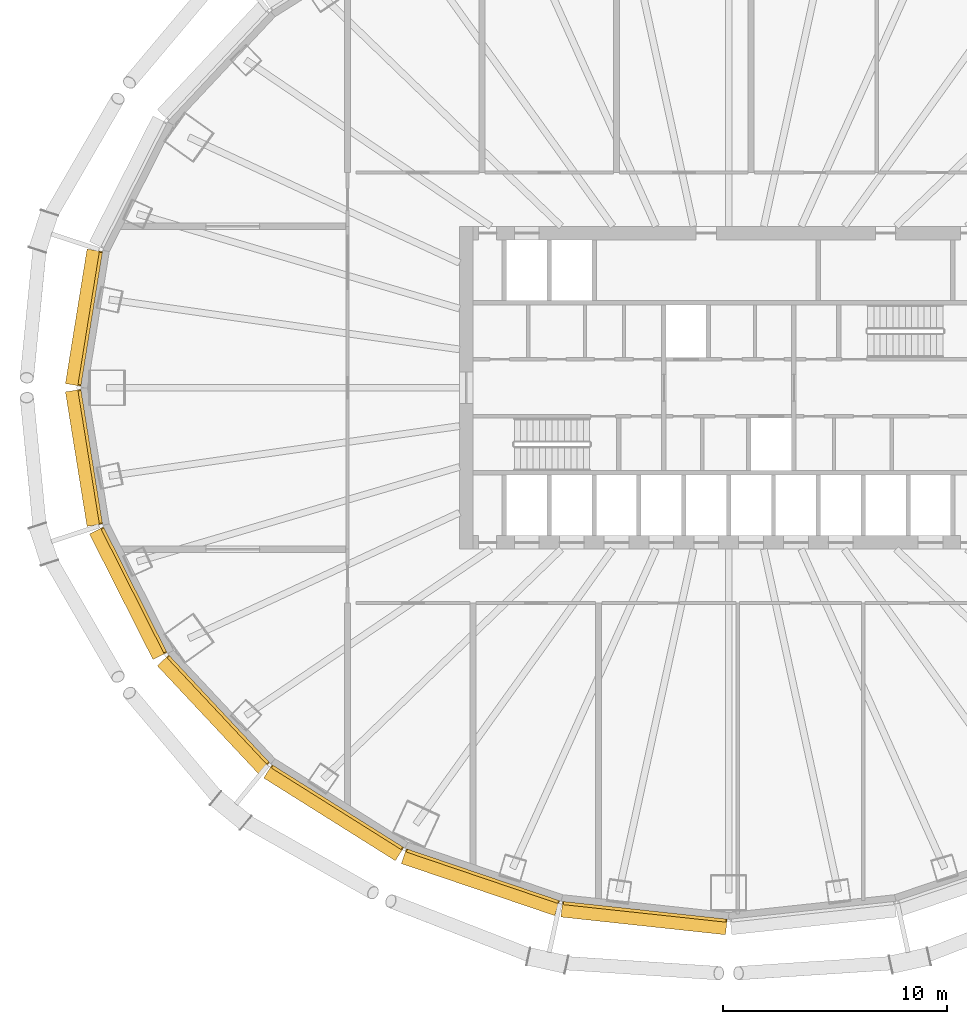
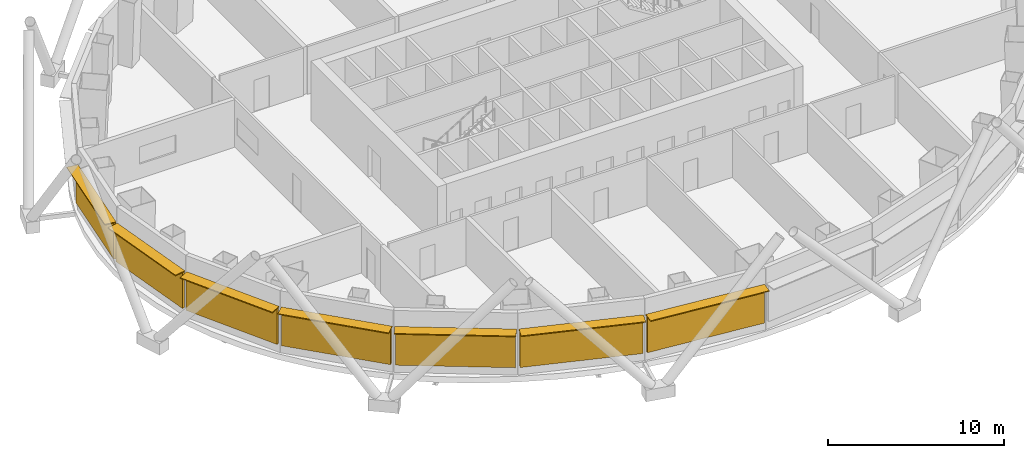
# One storey, part 11 of 14: 14 shading devices.
"""IFC4 building model written with IfcOpenShell, lengths in metres."""

from ifc_helpers import new_model, si_unit, direction, frame, origin, origin_2d, place, context, subcontext, project, spatial, rectangle, extrude, material, layer, layer_set, type_object, element, save


model = new_model("IFC4")

# Units and contexts
model_context = context("Model", 3, precision=1e-05, world=origin(), true_north=direction((0.0, 1.0)))
body_context = subcontext(model_context, "Body", "Model", "MODEL_VIEW")
ifc_project = project(units=[si_unit("LENGTHUNIT", "METRE"), si_unit("AREAUNIT", "SQUARE_METRE"), si_unit("VOLUMEUNIT", "CUBIC_METRE"), si_unit("PLANEANGLEUNIT", "RADIAN"), si_unit("MASSUNIT", "GRAM", prefix="KILO")], contexts=[model_context])

# Site, building, storey
site_placement = place(None, origin())
site = spatial("IfcSite", under=ifc_project, at=site_placement, CompositionType="ELEMENT")
building_placement = place(site_placement, origin())
building = spatial("IfcBuilding", under=site, at=building_placement, Name="Siaravel Broadcast Tower", CompositionType="ELEMENT")
storey_placement = place(building_placement, frame((0.0, 0.0, 20.0)))
storey = spatial("IfcBuildingStorey", under=building, at=storey_placement, Name="L03", CompositionType="ELEMENT", Elevation=20.0)

# Shading devices
ifc_material_1 = material(Name="Bronze anodised aluminium", Category="aluminium")
ifc_layer_1 = layer(ifc_material_1, 0.06005859375)
ifc_layer_set_1 = layer_set([ifc_layer_1], Name="Bronze anodised aluminium")
shading_device_type_1 = type_object("IfcShadingDeviceType", Name="Brise-soleil band", PredefinedType="USERDEFINED", material=ifc_layer_set_1)
for number, where, z_axis, x_axis, name in (
    (1, (-28.7509765625, 3.12890625, 3.1298828125), (0.0, 0.0, 1.0), (-0.158685394, -0.987329198, 0.0), "L03 brise-soleil band 12"),
    (2, (-28.7509765625, -3.12890625, 3.1298828125), (0.0, 0.0, 1.0), (0.158685394, -0.987329198, 0.0), "L03 brise-soleil band 13"),
):
    element("IfcShadingDevice", number, at=place(storey_placement, frame(where, z_axis=z_axis, x_axis=x_axis)), inside=storey, type_object=shading_device_type_1, Name=name, ObjectType="SUNSHADE", PredefinedType="USERDEFINED", context=body_context, shape_type="SweptSolid", body=[
        extrude(rectangle(XDim=6.078125, YDim=0.699951171875, at=origin_2d()), origin(), (0.0, 0.0, 1.0), 0.06005859375),
    ])
shading_device_1_placement = place(storey_placement, frame((-26.776611328125, -9.166015625, 3.1298828125), z_axis=(0.0, 0.0, 1.0), x_axis=(0.451262289, -0.892391364, 0.0)))
element("IfcShadingDevice", 3, at=shading_device_1_placement, inside=storey, type_object=shading_device_type_1, Name="L03 brise-soleil band 14", ObjectType="SUNSHADE", PredefinedType="USERDEFINED", context=body_context, shape_type="SweptSolid", body=[
    extrude(rectangle(XDim=6.268310546875, YDim=0.699951171875, at=origin_2d()), origin(), (0.0, 0.0, 1.0), 0.06005859375),
])
shading_device_2_placement = place(storey_placement, frame((-22.973876953125, -14.5625, 3.1298828125), z_axis=(0.0, 0.0, 1.0), x_axis=(0.683655992, -0.729804415, 0.0)))
element("IfcShadingDevice", 4, at=shading_device_2_placement, inside=storey, type_object=shading_device_type_1, Name="L03 brise-soleil band 15", ObjectType="SUNSHADE", PredefinedType="USERDEFINED", context=body_context, shape_type="SweptSolid", body=[
    extrude(rectangle(XDim=6.584716796875, YDim=0.699951171875, at=origin_2d()), origin(), (0.0, 0.0, 1.0), 0.06005859375),
])
shading_device_3_placement = place(storey_placement, frame((-17.61328125, -18.9541015625, 3.1298828125), z_axis=(0.0, 0.0, 1.0), x_axis=(0.846651365, -0.532147974, 0.0)))
element("IfcShadingDevice", 5, at=shading_device_3_placement, inside=storey, type_object=shading_device_type_1, Name="L03 brise-soleil band 16", ObjectType="SUNSHADE", PredefinedType="USERDEFINED", context=body_context, shape_type="SweptSolid", body=[
    extrude(rectangle(XDim=6.9326171875, YDim=0.699951171875, at=origin_2d()), origin(), (0.0, 0.0, 1.0), 0.06005859375),
])
shading_device_4_placement = place(storey_placement, frame((-11.06494140625, -22.051513671875, 3.1298828125), z_axis=(0.0, 0.0, 1.0), x_axis=(0.946977245, -0.321300635, 0.0)))
element("IfcShadingDevice", 6, at=shading_device_4_placement, inside=storey, type_object=shading_device_type_1, Name="L03 brise-soleil band 17", ObjectType="SUNSHADE", PredefinedType="USERDEFINED", context=body_context, shape_type="SweptSolid", body=[
    extrude(rectangle(XDim=7.220703125, YDim=0.699951171875, at=origin_2d()), origin(), (0.0, 0.0, 1.0), 0.06005859375),
])
shading_device_5_placement = place(storey_placement, frame((-3.772705078125, -23.652099609375, 3.1298828125), z_axis=(0.0, 0.0, 1.0), x_axis=(0.994235667, -0.107216783, 0.0)))
element("IfcShadingDevice", 7, at=shading_device_5_placement, inside=storey, type_object=shading_device_type_1, Name="L03 brise-soleil band 18", ObjectType="SUNSHADE", PredefinedType="USERDEFINED", context=body_context, shape_type="SweptSolid", body=[
    extrude(rectangle(XDim=7.3818359375, YDim=0.699951171875, at=origin_2d()), origin(), (0.0, 0.0, 1.0), 0.06005859375),
])
ifc_material_2 = material(Name="Precast concrete C40/50", Category="concrete")
ifc_layer_2 = layer(ifc_material_2, 0.139892578125)
ifc_layer_set_2 = layer_set([ifc_layer_2], Name="Precast concrete C40/50")
shading_device_type_2 = type_object("IfcShadingDeviceType", Name="Cobogo screen", PredefinedType="USERDEFINED", material=ifc_layer_set_2)
for number, where, z_axis, x_axis, name in (
    (8, (-28.474609375, 3.08447265625, 0.60009765625), (0.0, 0.0, 1.0), (-0.158685394, -0.987329198, 0.0), "L03 cobogo screen 12"),
    (9, (-28.474609375, -3.08447265625, 0.60009765625), (0.0, 0.0, 1.0), (0.158685394, -0.987329198, 0.0), "L03 cobogo screen 13"),
):
    element("IfcShadingDevice", number, at=place(storey_placement, frame(where, z_axis=z_axis, x_axis=x_axis)), inside=storey, type_object=shading_device_type_2, Name=name, ObjectType="SCREEN", PredefinedType="USERDEFINED", context=body_context, shape_type="SweptSolid", body=[
        extrude(rectangle(XDim=5.978271484375, YDim=0.139892578125, at=origin_2d()), origin(), (0.0, 0.0, 1.0), 2.5),
    ])
shading_device_6_placement = place(storey_placement, frame((-26.52685546875, -9.039794921875, 0.60009765625), z_axis=(0.0, 0.0, 1.0), x_axis=(0.451262289, -0.892391364, 0.0)))
element("IfcShadingDevice", 10, at=shading_device_6_placement, inside=storey, type_object=shading_device_type_2, Name="L03 cobogo screen 14", ObjectType="SCREEN", PredefinedType="USERDEFINED", context=body_context, shape_type="SweptSolid", body=[
    extrude(rectangle(XDim=6.168212890625, YDim=0.139892578125, at=origin_2d()), origin(), (0.0, 0.0, 1.0), 2.5),
])
shading_device_7_placement = place(storey_placement, frame((-22.769287109375, -14.37109375, 0.60009765625), z_axis=(0.0, 0.0, 1.0), x_axis=(0.683655992, -0.729804415, 0.0)))
element("IfcShadingDevice", 11, at=shading_device_7_placement, inside=storey, type_object=shading_device_type_2, Name="L03 cobogo screen 15", ObjectType="SCREEN", PredefinedType="USERDEFINED", context=body_context, shape_type="SweptSolid", body=[
    extrude(rectangle(XDim=6.48486328125, YDim=0.139892578125, at=origin_2d()), origin(), (0.0, 0.0, 1.0), 2.5),
])
shading_device_8_placement = place(storey_placement, frame((-17.464111328125, -18.71728515625, 0.60009765625), z_axis=(0.0, 0.0, 1.0), x_axis=(0.846651365, -0.532147974, 0.0)))
element("IfcShadingDevice", 12, at=shading_device_8_placement, inside=storey, type_object=shading_device_type_2, Name="L03 cobogo screen 16", ObjectType="SCREEN", PredefinedType="USERDEFINED", context=body_context, shape_type="SweptSolid", body=[
    extrude(rectangle(XDim=6.83251953125, YDim=0.139892578125, at=origin_2d()), origin(), (0.0, 0.0, 1.0), 2.5),
])
shading_device_9_placement = place(storey_placement, frame((-10.97509765625, -21.786376953125, 0.60009765625), z_axis=(0.0, 0.0, 1.0), x_axis=(0.946977245, -0.321300635, 0.0)))
element("IfcShadingDevice", 13, at=shading_device_9_placement, inside=storey, type_object=shading_device_type_2, Name="L03 cobogo screen 17", ObjectType="SCREEN", PredefinedType="USERDEFINED", context=body_context, shape_type="SweptSolid", body=[
    extrude(rectangle(XDim=7.12060546875, YDim=0.139892578125, at=origin_2d()), origin(), (0.0, 0.0, 1.0), 2.5),
])
shading_device_10_placement = place(storey_placement, frame((-3.74267578125, -23.373779296875, 0.60009765625), z_axis=(0.0, 0.0, 1.0), x_axis=(0.994235667, -0.107216783, 0.0)))
element("IfcShadingDevice", 14, at=shading_device_10_placement, inside=storey, type_object=shading_device_type_2, Name="L03 cobogo screen 18", ObjectType="SCREEN", PredefinedType="USERDEFINED", context=body_context, shape_type="SweptSolid", body=[
    extrude(rectangle(XDim=7.28173828125, YDim=0.139892578125, at=origin_2d()), origin(), (0.0, 0.0, 1.0), 2.5),
])

save(model, "model.ifc")
